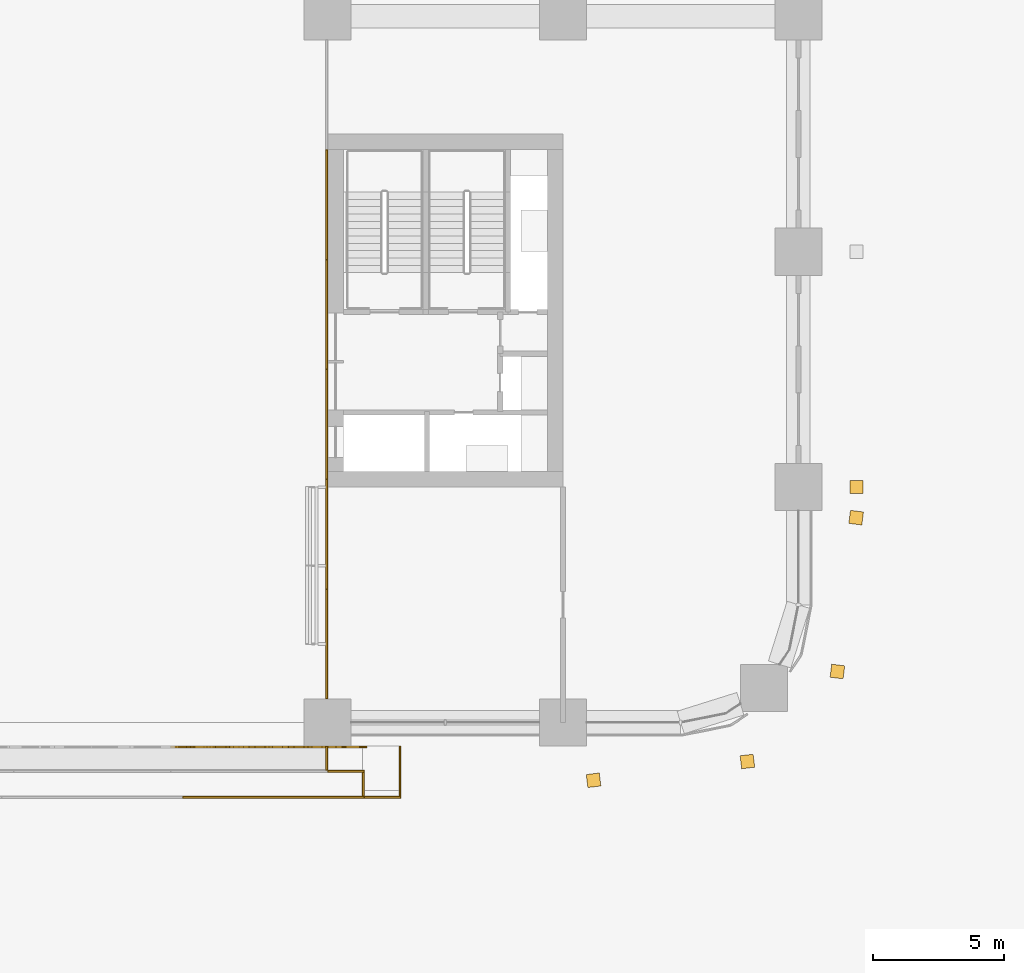
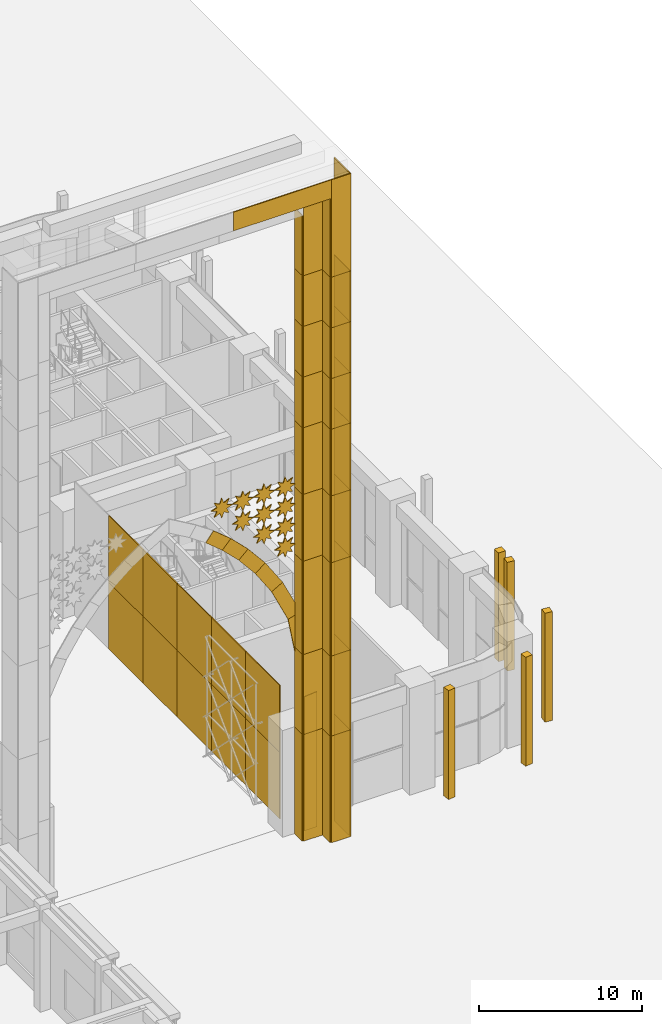
# One storey, part 52 of 64: 78 coverings.
"""IFC4 building model written with IfcOpenShell, lengths in metres."""

from ifc_helpers import new_model, si_unit, direction, frame, origin, origin_2d, place, context, subcontext, project, spatial, polyline, rectangle, outline, extrude, material, layer, layer_set, type_object, element, save


model = new_model("IFC4")

# Units and contexts
model_context = context("Model", 3, precision=1e-05, world=origin(), true_north=direction((0.0, 1.0)))
body_context = subcontext(model_context, "Body", "Model", "MODEL_VIEW")
ifc_project = project(units=[si_unit("LENGTHUNIT", "METRE"), si_unit("AREAUNIT", "SQUARE_METRE"), si_unit("VOLUMEUNIT", "CUBIC_METRE"), si_unit("PLANEANGLEUNIT", "RADIAN"), si_unit("MASSUNIT", "GRAM", prefix="KILO")], contexts=[model_context])

# Site, building, storey
site_placement = place(None, origin())
site = spatial("IfcSite", under=ifc_project, at=site_placement, CompositionType="ELEMENT")
building_placement = place(site_placement, origin())
building = spatial("IfcBuilding", under=site, at=building_placement, Name="Tessera Arch", CompositionType="ELEMENT")
storey_placement = place(building_placement, origin())
storey = spatial("IfcBuildingStorey", under=building, at=storey_placement, Name="L00", CompositionType="ELEMENT", Elevation=0.0)

# Coverings
ifc_material_1 = material(Name="Aluminium cladding pale metal anodised", Category="aluminium")
ifc_layer_1 = layer(ifc_material_1, 0.070068359375)
ifc_layer_set_1 = layer_set([ifc_layer_1], Name="Arch jamb panel")
covering_type_1 = type_object("IfcCoveringType", Name="Arch jamb panel", PredefinedType="CLADDING", material=ifc_layer_set_1)
for number, where, z_axis, x_axis, name in (
    (1, (35.965087890625, 3.0, 0.0), (0.0, 0.0, 1.0), (1.0, 0.0, 0.0), "Arch jamb panel E1-1"),
    (2, (35.965087890625, 7.199951171875, 0.0), (0.0, 0.0, 1.0), (1.0, 0.0, 0.0), "Arch jamb panel E1-2"),
    (3, (35.965087890625, 11.39990234375, 0.0), (0.0, 0.0, 1.0), (1.0, 0.0, 0.0), "Arch jamb panel E1-3"),
    (4, (35.965087890625, 15.60009765625, 0.0), (0.0, 0.0, 1.0), (1.0, 0.0, 0.0), "Arch jamb panel E1-4"),
    (5, (35.965087890625, 19.800048828125, 0.0), (0.0, 0.0, 1.0), (1.0, 0.0, 0.0), "Arch jamb panel E1-5"),
    (6, (35.965087890625, 3.0, 5.0), (0.0, 0.0, 1.0), (1.0, 0.0, 0.0), "Arch jamb panel E2-1"),
    (7, (35.965087890625, 7.199951171875, 5.0), (0.0, 0.0, 1.0), (1.0, 0.0, 0.0), "Arch jamb panel E2-2"),
    (8, (35.965087890625, 11.39990234375, 5.0), (0.0, 0.0, 1.0), (1.0, 0.0, 0.0), "Arch jamb panel E2-3"),
    (9, (35.965087890625, 15.60009765625, 5.0), (0.0, 0.0, 1.0), (1.0, 0.0, 0.0), "Arch jamb panel E2-4"),
    (10, (35.965087890625, 19.800048828125, 5.0), (0.0, 0.0, 1.0), (1.0, 0.0, 0.0), "Arch jamb panel E2-5"),
):
    element("IfcCovering", number, at=place(storey_placement, frame(where, z_axis=z_axis, x_axis=x_axis)), inside=storey, type_object=covering_type_1, Name=name, PredefinedType="CLADDING", context=body_context, shape_type="SweptSolid", body=[
        extrude(rectangle(XDim=0.070068359375, YDim=4.199951171875, at=origin_2d()), origin(), (0.0, 0.0, 1.0), 5.0),
    ])
covering_1_placement = place(storey_placement, frame((30.15673828125, -0.89990234375, 24.7587890625), z_axis=(0.0, 1.0, 0.0), x_axis=(0.771224222896, 0.0, -0.636563585213)))
element("IfcCovering", 11, at=covering_1_placement, inside=storey, type_object=covering_type_1, Name="Arch surround panel S12", PredefinedType="CLADDING", context=body_context, shape_type="SweptSolid", body=[
    extrude(outline(polyline([(0.0, 0.0), (1.5881937823812913, 0.0), (1.547886743530663, 0.900017146509952), (0.03740463181473269, 0.8998200398357961), (0.0, 0.0)])), origin(), (0.0, 0.0, -1.0), 0.070068359375),
])
covering_2_placement = place(storey_placement, frame((31.381591796875, -0.89990234375, 23.747802734375), z_axis=(0.0, 1.0, 0.0), x_axis=(0.711204209047, 0.0, -0.702985471425)))
element("IfcCovering", 12, at=covering_2_placement, inside=storey, type_object=covering_type_1, Name="Arch surround panel S13", PredefinedType="CLADDING", context=body_context, shape_type="SweptSolid", body=[
    extrude(outline(polyline([(0.0, 0.0), (1.7229113400740967, -1.1102230246251565e-16), (1.678665812028743, 0.8998690868256223), (0.04034546083480328, 0.9000154249693999), (0.0, 0.0)])), origin(), (0.0, 0.0, -1.0), 0.070068359375),
])
covering_3_placement = place(storey_placement, frame((32.60693359375, -0.89990234375, 22.53662109375), z_axis=(0.0, 1.0, 0.0), x_axis=(0.638769582701, 0.0, -0.769398089558)))
element("IfcCovering", 13, at=covering_3_placement, inside=storey, type_object=covering_type_1, Name="Arch surround panel S14", PredefinedType="CLADDING", context=body_context, shape_type="SweptSolid", body=[
    extrude(outline(polyline([(0.0, 0.0), (1.9194311250153056, -1.1102230246251565e-16), (1.8687284676763372, 0.9000102934392697), (0.04429335215089675, 0.8998667340954594), (0.0, 0.0)])), origin(), (0.0, 0.0, -1.0), 0.070068359375),
])
covering_4_placement = place(storey_placement, frame((33.8330078125, -0.89990234375, 21.059814453125), z_axis=(0.0, 1.0, 0.0), x_axis=(0.548618314937, 0.0, -0.836072930141)))
element("IfcCovering", 14, at=covering_4_placement, inside=storey, type_object=covering_type_1, Name="Arch surround panel S15", PredefinedType="CLADDING", context=body_context, shape_type="SweptSolid", body=[
    extrude(outline(polyline([(0.0, 0.0), (2.237955186138665, 0.0), (2.1761945621328933, 0.9000338565276113), (0.05037409780539209, 0.9000287428900069), (0.0, 0.0)])), origin(), (0.0, 0.0, -1.0), 0.070068359375),
])
covering_5_placement = place(storey_placement, frame((35.060791015625, -0.89990234375, 19.188720703125), z_axis=(0.0, 1.0, 0.0), x_axis=(0.428714417709, 0.0, -0.903440063341)))
element("IfcCovering", 15, at=covering_5_placement, inside=storey, type_object=covering_type_1, Name="Arch surround panel S16", PredefinedType="CLADDING", context=body_context, shape_type="SweptSolid", body=[
    extrude(outline(polyline([(0.0, 0.0), (2.923666471141933, 0.0), (2.806009238985998, 0.8999866973417552), (0.062314652165531004, 0.899995667600148), (0.0, 0.0)])), origin(), (0.0, 0.0, -1.0), 0.070068359375),
])
covering_6_placement = place(storey_placement, frame((36.314208984375, -0.89990234375, 16.54736328125), z_axis=(0.0, 1.0, 0.0), x_axis=(0.181913561756, 0.0, -0.983314525495)))
element("IfcCovering", 16, at=covering_6_placement, inside=storey, type_object=covering_type_1, Name="Arch surround panel S17", PredefinedType="CLADDING", context=body_context, shape_type="SweptSolid", body=[
    extrude(outline(polyline([(0.0, 0.0), (6.518431084421827, 0.0), (6.436109364576123, 0.8999428804711003), (0.11778976166077162, 0.8999693615443883), (0.0, 0.0)])), origin(), (0.0, 0.0, -1.0), 0.070068359375),
])
covering_7_placement = place(storey_placement, frame((37.5, -0.89990234375, 10.1376953125), z_axis=(0.0, 1.0, 0.0), x_axis=(0.0, 0.0, -1.0)))
element("IfcCovering", 17, at=covering_7_placement, inside=storey, type_object=covering_type_1, Name="Arch surround panel S18", PredefinedType="CLADDING", context=body_context, shape_type="SweptSolid", body=[
    extrude(outline(polyline([(0.0, 0.0), (10.1376953125, 0.0), (10.1376953125, 0.89990234375), (0.082763671875, 0.89990234375), (0.0, 0.0)])), origin(), (0.0, 0.0, -1.0), 0.070068359375),
])
covering_8_placement = place(storey_placement, frame((38.10009765625, -2.864990234375, 0.0), z_axis=(0.0, 0.0, 1.0), x_axis=(1.0, 0.0, 0.0)))
element("IfcCovering", 18, at=covering_8_placement, inside=storey, type_object=covering_type_1, Name="Gate frame panel S10", PredefinedType="CLADDING", context=body_context, shape_type="SweptSolid", body=[
    extrude(rectangle(XDim=1.39990234375, YDim=0.070068359375, at=origin_2d()), origin(), (0.0, 0.0, 1.0), 8.0),
])
covering_9_placement = place(storey_placement, frame((38.10009765625, -2.864990234375, 8.0), z_axis=(0.0, 0.0, 1.0), x_axis=(1.0, 0.0, 0.0)))
element("IfcCovering", 19, at=covering_9_placement, inside=storey, type_object=covering_type_1, Name="Gate frame panel S11", PredefinedType="CLADDING", context=body_context, shape_type="SweptSolid", body=[
    extrude(rectangle(XDim=1.39990234375, YDim=0.070068359375, at=origin_2d()), origin(), (0.0, 0.0, 1.0), 6.0),
])
covering_10_placement = place(storey_placement, frame((38.10009765625, -2.864990234375, 14.0), z_axis=(0.0, 0.0, 1.0), x_axis=(1.0, 0.0, 0.0)))
element("IfcCovering", 20, at=covering_10_placement, inside=storey, type_object=covering_type_1, Name="Gate frame panel S12", PredefinedType="CLADDING", context=body_context, shape_type="SweptSolid", body=[
    extrude(rectangle(XDim=1.39990234375, YDim=0.070068359375, at=origin_2d()), origin(), (0.0, 0.0, 1.0), 7.0),
])
for number, where, z_axis, x_axis, name in (
    (21, (38.10009765625, -2.864990234375, 21.0), (0.0, 0.0, 1.0), (1.0, 0.0, 0.0), "Gate frame panel S13"),
    (22, (38.10009765625, -2.864990234375, 26.0), (0.0, 0.0, 1.0), (1.0, 0.0, 0.0), "Gate frame panel S14"),
):
    element("IfcCovering", number, at=place(storey_placement, frame(where, z_axis=z_axis, x_axis=x_axis)), inside=storey, type_object=covering_type_1, Name=name, PredefinedType="CLADDING", context=body_context, shape_type="SweptSolid", body=[
        extrude(rectangle(XDim=1.39990234375, YDim=0.070068359375, at=origin_2d()), origin(), (0.0, 0.0, 1.0), 5.0),
    ])
for number, where, z_axis, x_axis, name in (
    (23, (38.10009765625, -2.864990234375, 31.0), (0.0, 0.0, 1.0), (1.0, 0.0, 0.0), "Gate frame panel S15"),
    (24, (38.10009765625, -2.864990234375, 34.7998046875), (0.0, 0.0, 1.0), (1.0, 0.0, 0.0), "Gate frame panel S16"),
    (25, (38.10009765625, -2.864990234375, 38.60009765625), (0.0, 0.0, 1.0), (1.0, 0.0, 0.0), "Gate frame panel S17"),
):
    element("IfcCovering", number, at=place(storey_placement, frame(where, z_axis=z_axis, x_axis=x_axis)), inside=storey, type_object=covering_type_1, Name=name, PredefinedType="CLADDING", context=body_context, shape_type="SweptSolid", body=[
        extrude(rectangle(XDim=1.39990234375, YDim=0.070068359375, at=origin_2d()), origin(), (0.0, 0.0, 1.0), 3.800048828125),
    ])
covering_11_placement = place(storey_placement, frame((38.10009765625, -2.864990234375, 42.39990234375), z_axis=(0.0, 0.0, 1.0), x_axis=(1.0, 0.0, 0.0)))
element("IfcCovering", 26, at=covering_11_placement, inside=storey, type_object=covering_type_1, Name="Gate frame panel S18", PredefinedType="CLADDING", context=body_context, shape_type="SweptSolid", body=[
    extrude(rectangle(XDim=1.39990234375, YDim=0.070068359375, at=origin_2d()), origin(), (0.0, 0.0, 1.0), 7.300048828125),
])
covering_12_placement = place(storey_placement, frame((33.933349609375, -2.864990234375, 48.300048828125), z_axis=(0.0, 0.0, 1.0), x_axis=(1.0, 0.0, 0.0)))
element("IfcCovering", 27, at=covering_12_placement, inside=storey, type_object=covering_type_1, Name="Gate frame panel S21", PredefinedType="CLADDING", context=body_context, shape_type="SweptSolid", body=[
    extrude(rectangle(XDim=6.933349609375, YDim=0.070068359375, at=origin_2d()), origin(), (0.0, 0.0, 1.0), 1.39990234375),
])
covering_13_placement = place(storey_placement, frame((38.764892578125, -1.864990234375, 0.0), z_axis=(0.0, 0.0, 1.0), x_axis=(1.0, 0.0, 0.0)))
element("IfcCovering", 28, at=covering_13_placement, inside=storey, type_object=covering_type_1, Name="Gate frame reveal S31", PredefinedType="CLADDING", context=body_context, shape_type="SweptSolid", body=[
    extrude(rectangle(XDim=0.070068359375, YDim=1.929931640625, at=origin_2d()), origin(), (0.0, 0.0, 1.0), 8.0),
])
covering_14_placement = place(storey_placement, frame((38.764892578125, -1.864990234375, 8.0), z_axis=(0.0, 0.0, 1.0), x_axis=(1.0, 0.0, 0.0)))
element("IfcCovering", 29, at=covering_14_placement, inside=storey, type_object=covering_type_1, Name="Gate frame reveal S32", PredefinedType="CLADDING", context=body_context, shape_type="SweptSolid", body=[
    extrude(rectangle(XDim=0.070068359375, YDim=1.929931640625, at=origin_2d()), origin(), (0.0, 0.0, 1.0), 6.0),
])
covering_15_placement = place(storey_placement, frame((38.764892578125, -1.864990234375, 14.0), z_axis=(0.0, 0.0, 1.0), x_axis=(1.0, 0.0, 0.0)))
element("IfcCovering", 30, at=covering_15_placement, inside=storey, type_object=covering_type_1, Name="Gate frame reveal S33", PredefinedType="CLADDING", context=body_context, shape_type="SweptSolid", body=[
    extrude(rectangle(XDim=0.070068359375, YDim=1.929931640625, at=origin_2d()), origin(), (0.0, 0.0, 1.0), 7.0),
])
for number, where, z_axis, x_axis, name in (
    (31, (38.764892578125, -1.864990234375, 21.0), (0.0, 0.0, 1.0), (1.0, 0.0, 0.0), "Gate frame reveal S34"),
    (32, (38.764892578125, -1.864990234375, 26.0), (0.0, 0.0, 1.0), (1.0, 0.0, 0.0), "Gate frame reveal S35"),
):
    element("IfcCovering", number, at=place(storey_placement, frame(where, z_axis=z_axis, x_axis=x_axis)), inside=storey, type_object=covering_type_1, Name=name, PredefinedType="CLADDING", context=body_context, shape_type="SweptSolid", body=[
        extrude(rectangle(XDim=0.070068359375, YDim=1.929931640625, at=origin_2d()), origin(), (0.0, 0.0, 1.0), 5.0),
    ])
for number, where, z_axis, x_axis, name in (
    (33, (38.764892578125, -1.864990234375, 31.0), (0.0, 0.0, 1.0), (1.0, 0.0, 0.0), "Gate frame reveal S36"),
    (34, (38.764892578125, -1.864990234375, 34.7998046875), (0.0, 0.0, 1.0), (1.0, 0.0, 0.0), "Gate frame reveal S37"),
    (35, (38.764892578125, -1.864990234375, 38.60009765625), (0.0, 0.0, 1.0), (1.0, 0.0, 0.0), "Gate frame reveal S38"),
):
    element("IfcCovering", number, at=place(storey_placement, frame(where, z_axis=z_axis, x_axis=x_axis)), inside=storey, type_object=covering_type_1, Name=name, PredefinedType="CLADDING", context=body_context, shape_type="SweptSolid", body=[
        extrude(rectangle(XDim=0.070068359375, YDim=1.929931640625, at=origin_2d()), origin(), (0.0, 0.0, 1.0), 3.800048828125),
    ])
covering_16_placement = place(storey_placement, frame((38.764892578125, -1.864990234375, 42.39990234375), z_axis=(0.0, 0.0, 1.0), x_axis=(1.0, 0.0, 0.0)))
element("IfcCovering", 36, at=covering_16_placement, inside=storey, type_object=covering_type_1, Name="Gate frame reveal S39", PredefinedType="CLADDING", context=body_context, shape_type="SweptSolid", body=[
    extrude(rectangle(XDim=0.070068359375, YDim=1.929931640625, at=origin_2d()), origin(), (0.0, 0.0, 1.0), 7.300048828125),
])
covering_17_placement = place(storey_placement, frame((37.364990234375, -2.364990234375, 0.0), z_axis=(0.0, 0.0, 1.0), x_axis=(1.0, 0.0, 0.0)))
element("IfcCovering", 37, at=covering_17_placement, inside=storey, type_object=covering_type_1, Name="Gate frame reveal S50", PredefinedType="CLADDING", context=body_context, shape_type="SweptSolid", body=[
    extrude(rectangle(XDim=0.070068359375, YDim=0.929931640625, at=origin_2d()), origin(), (0.0, 0.0, 1.0), 8.0),
])
covering_18_placement = place(storey_placement, frame((37.364990234375, -2.364990234375, 8.0), z_axis=(0.0, 0.0, 1.0), x_axis=(1.0, 0.0, 0.0)))
element("IfcCovering", 38, at=covering_18_placement, inside=storey, type_object=covering_type_1, Name="Gate frame reveal S51", PredefinedType="CLADDING", context=body_context, shape_type="SweptSolid", body=[
    extrude(rectangle(XDim=0.070068359375, YDim=0.929931640625, at=origin_2d()), origin(), (0.0, 0.0, 1.0), 6.0),
])
covering_19_placement = place(storey_placement, frame((37.364990234375, -2.364990234375, 14.0), z_axis=(0.0, 0.0, 1.0), x_axis=(1.0, 0.0, 0.0)))
element("IfcCovering", 39, at=covering_19_placement, inside=storey, type_object=covering_type_1, Name="Gate frame reveal S52", PredefinedType="CLADDING", context=body_context, shape_type="SweptSolid", body=[
    extrude(rectangle(XDim=0.070068359375, YDim=0.929931640625, at=origin_2d()), origin(), (0.0, 0.0, 1.0), 7.0),
])
for number, where, z_axis, x_axis, name in (
    (40, (37.364990234375, -2.364990234375, 21.0), (0.0, 0.0, 1.0), (1.0, 0.0, 0.0), "Gate frame reveal S53"),
    (41, (37.364990234375, -2.364990234375, 26.0), (0.0, 0.0, 1.0), (1.0, 0.0, 0.0), "Gate frame reveal S54"),
):
    element("IfcCovering", number, at=place(storey_placement, frame(where, z_axis=z_axis, x_axis=x_axis)), inside=storey, type_object=covering_type_1, Name=name, PredefinedType="CLADDING", context=body_context, shape_type="SweptSolid", body=[
        extrude(rectangle(XDim=0.070068359375, YDim=0.929931640625, at=origin_2d()), origin(), (0.0, 0.0, 1.0), 5.0),
    ])
for number, where, z_axis, x_axis, name in (
    (42, (37.364990234375, -2.364990234375, 31.0), (0.0, 0.0, 1.0), (1.0, 0.0, 0.0), "Gate frame reveal S55"),
    (43, (37.364990234375, -2.364990234375, 34.7998046875), (0.0, 0.0, 1.0), (1.0, 0.0, 0.0), "Gate frame reveal S56"),
    (44, (37.364990234375, -2.364990234375, 38.60009765625), (0.0, 0.0, 1.0), (1.0, 0.0, 0.0), "Gate frame reveal S57"),
):
    element("IfcCovering", number, at=place(storey_placement, frame(where, z_axis=z_axis, x_axis=x_axis)), inside=storey, type_object=covering_type_1, Name=name, PredefinedType="CLADDING", context=body_context, shape_type="SweptSolid", body=[
        extrude(rectangle(XDim=0.070068359375, YDim=0.929931640625, at=origin_2d()), origin(), (0.0, 0.0, 1.0), 3.800048828125),
    ])
covering_20_placement = place(storey_placement, frame((37.364990234375, -2.364990234375, 42.400146484375), z_axis=(0.0, 0.0, 1.0), x_axis=(1.0, 0.0, 0.0)))
element("IfcCovering", 45, at=covering_20_placement, inside=storey, type_object=covering_type_1, Name="Gate frame reveal S58", PredefinedType="CLADDING", context=body_context, shape_type="SweptSolid", body=[
    extrude(rectangle(XDim=0.070068359375, YDim=0.929931640625, at=origin_2d()), origin(), (0.0, 0.0, 1.0), 5.89990234375),
])
covering_21_placement = place(storey_placement, frame((36.699951171875, -1.864990234375, 0.0), z_axis=(0.0, 0.0, 1.0), x_axis=(1.0, 0.0, 0.0)))
element("IfcCovering", 46, at=covering_21_placement, inside=storey, type_object=covering_type_1, Name="Gate frame panel S69", PredefinedType="CLADDING", context=body_context, shape_type="SweptSolid", body=[
    extrude(rectangle(XDim=1.39990234375, YDim=0.070068359375, at=origin_2d()), origin(), (0.0, 0.0, 1.0), 8.0),
])
covering_22_placement = place(storey_placement, frame((36.699951171875, -1.864990234375, 8.0), z_axis=(0.0, 0.0, 1.0), x_axis=(1.0, 0.0, 0.0)))
element("IfcCovering", 47, at=covering_22_placement, inside=storey, type_object=covering_type_1, Name="Gate frame panel S70", PredefinedType="CLADDING", context=body_context, shape_type="SweptSolid", body=[
    extrude(rectangle(XDim=1.39990234375, YDim=0.070068359375, at=origin_2d()), origin(), (0.0, 0.0, 1.0), 6.0),
])
covering_23_placement = place(storey_placement, frame((36.699951171875, -1.864990234375, 14.0), z_axis=(0.0, 0.0, 1.0), x_axis=(1.0, 0.0, 0.0)))
element("IfcCovering", 48, at=covering_23_placement, inside=storey, type_object=covering_type_1, Name="Gate frame panel S71", PredefinedType="CLADDING", context=body_context, shape_type="SweptSolid", body=[
    extrude(rectangle(XDim=1.39990234375, YDim=0.070068359375, at=origin_2d()), origin(), (0.0, 0.0, 1.0), 7.0),
])
for number, where, z_axis, x_axis, name in (
    (49, (36.699951171875, -1.864990234375, 21.0), (0.0, 0.0, 1.0), (1.0, 0.0, 0.0), "Gate frame panel S72"),
    (50, (36.699951171875, -1.864990234375, 26.0), (0.0, 0.0, 1.0), (1.0, 0.0, 0.0), "Gate frame panel S73"),
):
    element("IfcCovering", number, at=place(storey_placement, frame(where, z_axis=z_axis, x_axis=x_axis)), inside=storey, type_object=covering_type_1, Name=name, PredefinedType="CLADDING", context=body_context, shape_type="SweptSolid", body=[
        extrude(rectangle(XDim=1.39990234375, YDim=0.070068359375, at=origin_2d()), origin(), (0.0, 0.0, 1.0), 5.0),
    ])
for number, where, z_axis, x_axis, name in (
    (51, (36.699951171875, -1.864990234375, 31.0), (0.0, 0.0, 1.0), (1.0, 0.0, 0.0), "Gate frame panel S74"),
    (52, (36.699951171875, -1.864990234375, 34.7998046875), (0.0, 0.0, 1.0), (1.0, 0.0, 0.0), "Gate frame panel S75"),
    (53, (36.699951171875, -1.864990234375, 38.60009765625), (0.0, 0.0, 1.0), (1.0, 0.0, 0.0), "Gate frame panel S76"),
):
    element("IfcCovering", number, at=place(storey_placement, frame(where, z_axis=z_axis, x_axis=x_axis)), inside=storey, type_object=covering_type_1, Name=name, PredefinedType="CLADDING", context=body_context, shape_type="SweptSolid", body=[
        extrude(rectangle(XDim=1.39990234375, YDim=0.070068359375, at=origin_2d()), origin(), (0.0, 0.0, 1.0), 3.800048828125),
    ])
covering_24_placement = place(storey_placement, frame((36.699951171875, -1.864990234375, 42.400146484375), z_axis=(0.0, 0.0, 1.0), x_axis=(1.0, 0.0, 0.0)))
element("IfcCovering", 54, at=covering_24_placement, inside=storey, type_object=covering_type_1, Name="Gate frame panel S77", PredefinedType="CLADDING", context=body_context, shape_type="SweptSolid", body=[
    extrude(rectangle(XDim=1.39990234375, YDim=0.070068359375, at=origin_2d()), origin(), (0.0, 0.0, 1.0), 5.89990234375),
])
covering_25_placement = place(storey_placement, frame((35.965087890625, -1.364990234375, 0.0), z_axis=(0.0, 0.0, 1.0), x_axis=(1.0, 0.0, 0.0)))
element("IfcCovering", 55, at=covering_25_placement, inside=storey, type_object=covering_type_1, Name="Gate frame reveal S90", PredefinedType="CLADDING", context=body_context, shape_type="SweptSolid", body=[
    extrude(rectangle(XDim=0.070068359375, YDim=0.929931640625, at=origin_2d()), origin(), (0.0, 0.0, 1.0), 8.0),
])
covering_26_placement = place(storey_placement, frame((35.965087890625, -1.364990234375, 8.0), z_axis=(0.0, 0.0, 1.0), x_axis=(1.0, 0.0, 0.0)))
element("IfcCovering", 56, at=covering_26_placement, inside=storey, type_object=covering_type_1, Name="Gate frame reveal S91", PredefinedType="CLADDING", context=body_context, shape_type="SweptSolid", body=[
    extrude(rectangle(XDim=0.070068359375, YDim=0.929931640625, at=origin_2d()), origin(), (0.0, 0.0, 1.0), 6.0),
])
covering_27_placement = place(storey_placement, frame((35.965087890625, -1.364990234375, 14.0), z_axis=(0.0, 0.0, 1.0), x_axis=(1.0, 0.0, 0.0)))
element("IfcCovering", 57, at=covering_27_placement, inside=storey, type_object=covering_type_1, Name="Gate frame reveal S92", PredefinedType="CLADDING", context=body_context, shape_type="SweptSolid", body=[
    extrude(rectangle(XDim=0.070068359375, YDim=0.929931640625, at=origin_2d()), origin(), (0.0, 0.0, 1.0), 7.0),
])
for number, where, z_axis, x_axis, name in (
    (58, (35.965087890625, -1.364990234375, 21.0), (0.0, 0.0, 1.0), (1.0, 0.0, 0.0), "Gate frame reveal S93"),
    (59, (35.965087890625, -1.364990234375, 26.0), (0.0, 0.0, 1.0), (1.0, 0.0, 0.0), "Gate frame reveal S94"),
):
    element("IfcCovering", number, at=place(storey_placement, frame(where, z_axis=z_axis, x_axis=x_axis)), inside=storey, type_object=covering_type_1, Name=name, PredefinedType="CLADDING", context=body_context, shape_type="SweptSolid", body=[
        extrude(rectangle(XDim=0.070068359375, YDim=0.929931640625, at=origin_2d()), origin(), (0.0, 0.0, 1.0), 5.0),
    ])
for number, where, z_axis, x_axis, name in (
    (60, (35.965087890625, -1.364990234375, 31.0), (0.0, 0.0, 1.0), (1.0, 0.0, 0.0), "Gate frame reveal S95"),
    (61, (35.965087890625, -1.364990234375, 34.7998046875), (0.0, 0.0, 1.0), (1.0, 0.0, 0.0), "Gate frame reveal S96"),
    (62, (35.965087890625, -1.364990234375, 38.60009765625), (0.0, 0.0, 1.0), (1.0, 0.0, 0.0), "Gate frame reveal S97"),
):
    element("IfcCovering", number, at=place(storey_placement, frame(where, z_axis=z_axis, x_axis=x_axis)), inside=storey, type_object=covering_type_1, Name=name, PredefinedType="CLADDING", context=body_context, shape_type="SweptSolid", body=[
        extrude(rectangle(XDim=0.070068359375, YDim=0.929931640625, at=origin_2d()), origin(), (0.0, 0.0, 1.0), 3.800048828125),
    ])
covering_28_placement = place(storey_placement, frame((35.965087890625, -1.364990234375, 42.39990234375), z_axis=(0.0, 0.0, 1.0), x_axis=(1.0, 0.0, 0.0)))
element("IfcCovering", 63, at=covering_28_placement, inside=storey, type_object=covering_type_1, Name="Gate frame reveal S98", PredefinedType="CLADDING", context=body_context, shape_type="SweptSolid", body=[
    extrude(rectangle(XDim=0.070068359375, YDim=0.929931640625, at=origin_2d()), origin(), (0.0, 0.0, 1.0), 4.5),
])
for number, where, z_axis, x_axis, name in (
    (64, (35.596435546875, -0.89990234375, 21.6064453125), (0.0, 1.0, 0.0), (0.429335917251, 0.0, -0.903144877723), "Gate lattice star S2"),
    (65, (34.096435546875, -0.89990234375, 23.1064453125), (0.0, 1.0, 0.0), (0.429335917251, 0.0, -0.903144877723), "Gate lattice star S5"),
    (66, (35.596435546875, -0.89990234375, 23.1064453125), (0.0, 1.0, 0.0), (0.429335917251, 0.0, -0.903144877723), "Gate lattice star S6"),
    (67, (32.596435546875, -0.89990234375, 24.6064453125), (0.0, 1.0, 0.0), (0.429335917251, 0.0, -0.903144877723), "Gate lattice star S10"),
    (68, (34.096435546875, -0.89990234375, 24.6064453125), (0.0, 1.0, 0.0), (0.429335917251, 0.0, -0.903144877723), "Gate lattice star S11"),
    (69, (35.596435546875, -0.89990234375, 24.6064453125), (0.0, 1.0, 0.0), (0.429335917251, 0.0, -0.903144877723), "Gate lattice star S12"),
    (70, (31.096435546875, -0.89990234375, 26.1064453125), (0.0, 1.0, 0.0), (0.429335917251, 0.0, -0.903144877723), "Gate lattice star S17"),
    (71, (32.596435546875, -0.89990234375, 26.1064453125), (0.0, 1.0, 0.0), (0.429335917251, 0.0, -0.903144877723), "Gate lattice star S18"),
    (72, (34.096435546875, -0.89990234375, 26.1064453125), (0.0, 1.0, 0.0), (0.429335917251, 0.0, -0.903144877723), "Gate lattice star S19"),
    (73, (35.596435546875, -0.89990234375, 26.1064453125), (0.0, 1.0, 0.0), (0.429335917251, 0.0, -0.903144877723), "Gate lattice star S20"),
):
    element("IfcCovering", number, at=place(storey_placement, frame(where, z_axis=z_axis, x_axis=x_axis)), inside=storey, type_object=covering_type_1, Name=name, PredefinedType="CLADDING", context=body_context, shape_type="SweptSolid", body=[
        extrude(outline(polyline([(0.0, 0.0), (0.4281912675791182, 0.0), (0.09612676908020587, 0.2703348487851277), (0.3989707543178125, 0.5732502441263141), (-0.02713959778681463, 0.5296362101627644), (-0.02713959778681463, 0.9578274777418826), (-0.2974744465719423, 0.6257629792429703), (-0.6003898419131287, 0.928606964480577), (-0.556775807949579, 0.5024966123759498), (-0.9849670755286972, 0.5024966123759498), (-0.6529025770297849, 0.2321617635908221), (-0.9557465622673916, -0.07075363175036431), (-0.5296362101627644, -0.02713959778681463), (-0.5296362101627644, -0.4553308653659328), (-0.2593013613776367, -0.12326636686702049), (0.043614033963549736, -0.42611035210462717), (0.0, 0.0)])), origin(), (0.0, 0.0, -1.0), 0.070068359375),
    ])
ifc_material_2 = material(Name="Anodised aluminium pale metal", Category="aluminium")
ifc_layer_2 = layer(ifc_material_2, 0.5)
ifc_layer_set_2 = layer_set([ifc_layer_2], Name="Base plinth pier pale metal")
covering_type_2 = type_object("IfcCoveringType", Name="Base plinth pier pale metal", PredefinedType="CLADDING", material=ifc_layer_set_2)
for number, where, z_axis, x_axis, name in (
    (74, (56.22509765625, 9.0, 0.0), (0.0, 0.0, 1.0), (0.0, 1.0, 0.0), "Base plinth pier 3"),
    (75, (46.169189453125, -2.208740234375, 0.0), (0.0, 0.0, 1.0), (0.992658459108, 0.120951161885, 0.0), "Base plinth pier 10"),
    (76, (52.051025390625, -1.491943359375, 0.0), (0.0, 0.0, 1.0), (0.992658459108, 0.120951161885, 0.0), "Base plinth pier 11"),
    (77, (55.491943359375, 1.948974609375, 0.0), (0.0, 0.0, 1.0), (0.120951161885, 0.992658459108, 0.0), "Base plinth pier 12"),
    (78, (56.208740234375, 7.830810546875, 0.0), (0.0, 0.0, 1.0), (0.120951161885, 0.992658459108, 0.0), "Base plinth pier 13"),
):
    element("IfcCovering", number, at=place(storey_placement, frame(where, z_axis=z_axis, x_axis=x_axis)), inside=storey, type_object=covering_type_2, Name=name, PredefinedType="CLADDING", context=body_context, shape_type="SweptSolid", body=[
        extrude(rectangle(XDim=0.5, YDim=0.5, at=origin_2d()), origin(), (0.0, 0.0, 1.0), 8.159912109375),
    ])

save(model, "model.ifc")
